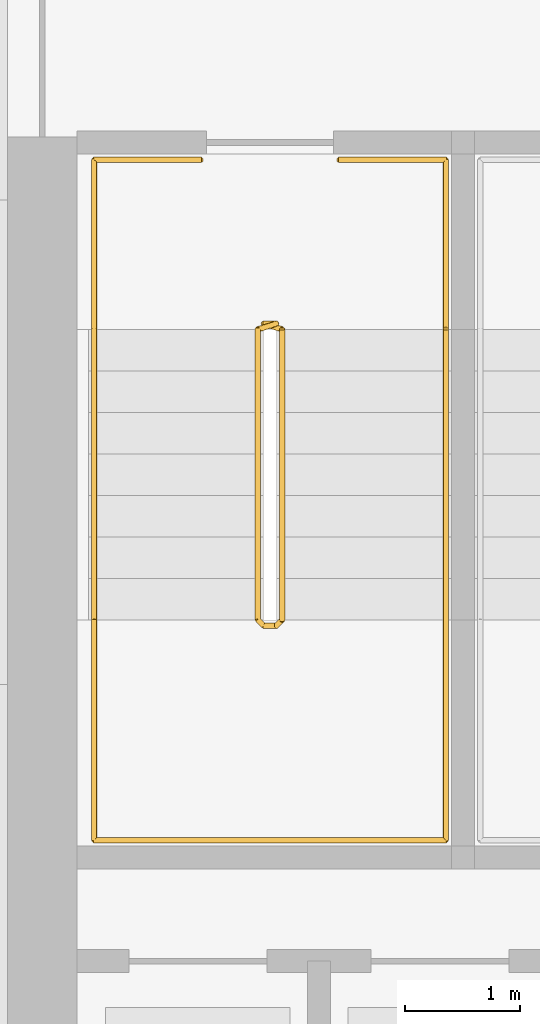
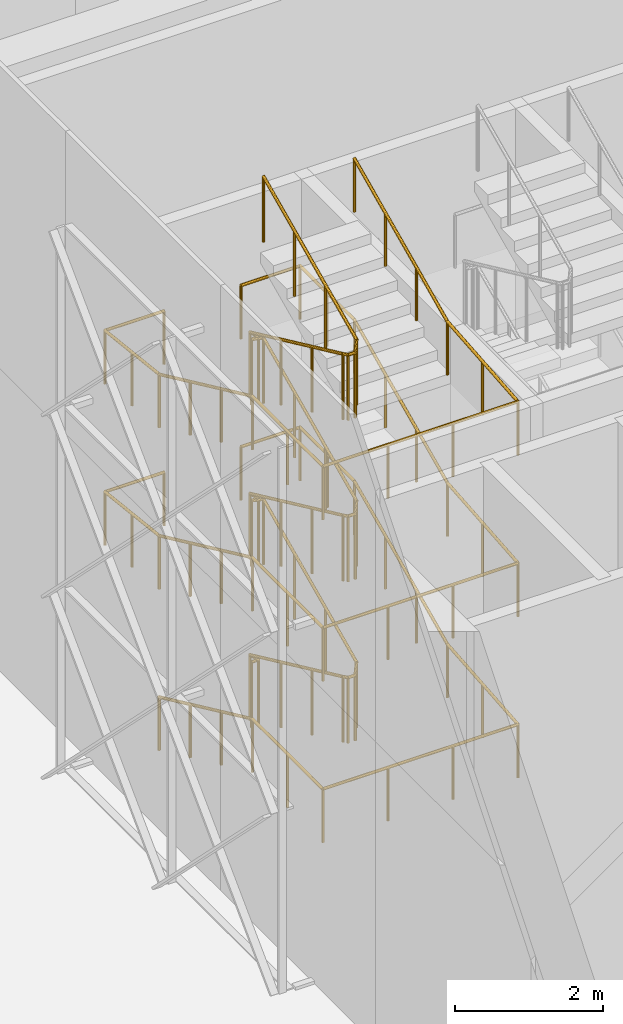
# One storey, part 60 of 64: 4 railings.
"""IFC4 building model written with IfcOpenShell, lengths in metres."""

from ifc_helpers import new_model, si_unit, direction, frame, origin, origin_2d, place, context, subcontext, project, spatial, circle, extrude, material, type_object, element, save


model = new_model("IFC4")

# Units and contexts
model_context = context("Model", 3, precision=1e-05, world=origin(), true_north=direction((0.0, 1.0)))
body_context = subcontext(model_context, "Body", "Model", "MODEL_VIEW")
ifc_project = project(units=[si_unit("LENGTHUNIT", "METRE"), si_unit("AREAUNIT", "SQUARE_METRE"), si_unit("VOLUMEUNIT", "CUBIC_METRE"), si_unit("PLANEANGLEUNIT", "RADIAN"), si_unit("MASSUNIT", "GRAM", prefix="KILO")], contexts=[model_context])

# Site, building, storey
site_placement = place(None, origin())
site = spatial("IfcSite", under=ifc_project, at=site_placement, CompositionType="ELEMENT")
building_placement = place(site_placement, origin())
building = spatial("IfcBuilding", under=site, at=building_placement, Name="Tessera Arch", CompositionType="ELEMENT")
storey_placement = place(building_placement, origin())
storey = spatial("IfcBuildingStorey", under=building, at=storey_placement, Name="L00", CompositionType="ELEMENT", Elevation=0.0)

# Railings
ifc_material_1 = material(Name="Painted steel balustrade", Category="steel")
railing_type_1 = type_object("IfcRailingType", Name="Stair guard 1100", PredefinedType="GUARDRAIL", material=ifc_material_1)
railing_1_placement = place(storey_placement, frame((38.219970703125, 43.6298828125, 0.0)))
element("IfcRailing", 1, at=railing_1_placement, inside=storey, type_object=railing_type_1, Name="L00 S1a stair guard 1", PredefinedType="GUARDRAIL", context=body_context, shape_type="SweptSolid", body=[
    extrude(circle(Radius=0.02392578125, at=origin_2d()), frame((-0.00390625, 0.0, 1.076171875), z_axis=(1.0, 0.0, 0.0), x_axis=(0.0, 1.0, 0.0)), (0.0, 0.0, 1.0), 0.1181640625),
    extrude(circle(Radius=0.02392578125, at=origin_2d()), frame((0.11279296875, 0.000732421875, 1.0732421875), z_axis=(-0.677174120815, -0.210584635131, 0.705045616641), x_axis=(0.296948579431, -0.954893471113, 0.0)), (0.0, 0.0, 1.0), 0.244384765625),
    extrude(circle(Radius=0.02392578125, at=origin_2d()), frame((-0.050048828125, -0.046142578125, 1.2412109375), z_axis=(0.0, -0.907490492863, 0.420072619153), x_axis=(1.0, 0.0, 0.0)), (0.0, 0.0, 1.0), 2.784912109375),
    extrude(circle(Radius=0.02392578125, at=origin_2d()), frame((-0.052978515625, -2.56689453125, 2.4091796875), z_axis=(0.707106781187, -0.707106781187, 0.0), x_axis=(0.707106781187, 0.707106781187, 0.0)), (0.0, 0.0, 1.0), 0.078857421875),
    extrude(circle(Radius=0.02392578125, at=origin_2d()), frame((-0.00390625, -2.619873046875, 2.4091796875), z_axis=(1.0, 0.0, 0.0), x_axis=(0.0, 1.0, 0.0)), (0.0, 0.0, 1.0), 0.1181640625),
    extrude(circle(Radius=0.02392578125, at=origin_2d()), frame((0.10888671875, -2.62109375, 2.405517578125), z_axis=(0.275041040955, 0.276389281352, 0.920848191041), x_axis=(-0.708833529934, 0.705375805398, 0.0)), (0.0, 0.0, 1.0), 0.18896484375),
    extrude(circle(Radius=0.02392578125, at=origin_2d()), frame((0.159912109375, -2.573486328125, 2.574462890625), z_axis=(0.0, 0.907456975791, 0.420145019115), x_axis=(-1.0, 0.0, 0.0)), (0.0, 0.0, 1.0), 2.784912109375),
    extrude(circle(Radius=0.02392578125, at=origin_2d()), frame((0.163818359375, -0.051025390625, 3.74267578125), z_axis=(-0.954764847777, 0.297361876254, 0.0), x_axis=(-0.297361876254, -0.954764847777, 0.0)), (0.0, 0.0, 1.0), 0.175537109375),
    extrude(circle(Radius=0.02392578125, at=origin_2d()), frame((-0.00390625, 0.0, 3.74267578125), z_axis=(1.0, 0.0, 0.0), x_axis=(0.0, 1.0, 0.0)), (0.0, 0.0, 1.0), 0.1181640625),
    extrude(circle(Radius=0.02392578125, at=origin_2d()), frame((0.11279296875, 0.000732421875, 3.739990234375), z_axis=(-0.677667147158, -0.210737954299, 0.704525906039), x_axis=(0.296948579431, -0.954893471113, 0.0)), (0.0, 0.0, 1.0), 0.244384765625),
    extrude(circle(Radius=0.02392578125, at=origin_2d()), frame((-0.050048828125, -0.046142578125, 3.90771484375), z_axis=(0.0, -0.907456975791, 0.420145019115), x_axis=(1.0, 0.0, 0.0)), (0.0, 0.0, 1.0), 2.784912109375),
    extrude(circle(Radius=0.02392578125, at=origin_2d()), frame((-0.052978515625, -2.56689453125, 5.076171875), z_axis=(0.707106781187, -0.707106781187, 0.0), x_axis=(0.707106781187, 0.707106781187, 0.0)), (0.0, 0.0, 1.0), 0.078857421875),
    extrude(circle(Radius=0.02392578125, at=origin_2d()), frame((-0.00390625, -2.619873046875, 5.076171875), z_axis=(1.0, 0.0, 0.0), x_axis=(0.0, 1.0, 0.0)), (0.0, 0.0, 1.0), 0.1181640625),
    extrude(circle(Radius=0.02392578125, at=origin_2d()), frame((0.10888671875, -2.62109375, 5.072265625), z_axis=(0.275041040955, 0.276389281352, 0.920848191041), x_axis=(-0.708833529934, 0.705375805398, 0.0)), (0.0, 0.0, 1.0), 0.18896484375),
    extrude(circle(Radius=0.02392578125, at=origin_2d()), frame((0.159912109375, -2.573486328125, 5.2412109375), z_axis=(0.0, 0.907490492863, 0.420072619153), x_axis=(-1.0, 0.0, 0.0)), (0.0, 0.0, 1.0), 2.784912109375),
    extrude(circle(Radius=0.02392578125, at=origin_2d()), frame((0.163818359375, -0.051025390625, 6.4091796875), z_axis=(-0.954764847777, 0.297361876254, 0.0), x_axis=(-0.297361876254, -0.954764847777, 0.0)), (0.0, 0.0, 1.0), 0.175537109375),
    extrude(circle(Radius=0.02392578125, at=origin_2d()), frame((-0.00390625, 0.0, 6.4091796875), z_axis=(1.0, 0.0, 0.0), x_axis=(0.0, 1.0, 0.0)), (0.0, 0.0, 1.0), 0.1181640625),
    extrude(circle(Radius=0.02392578125, at=origin_2d()), frame((0.11279296875, 0.000732421875, 6.406494140625), z_axis=(-0.677174120815, -0.210584635131, 0.705045616641), x_axis=(0.296948579431, -0.954893471113, 0.0)), (0.0, 0.0, 1.0), 0.244384765625),
    extrude(circle(Radius=0.02392578125, at=origin_2d()), frame((-0.050048828125, -0.046142578125, 6.574462890625), z_axis=(0.0, -0.907456975791, 0.420145019115), x_axis=(1.0, 0.0, 0.0)), (0.0, 0.0, 1.0), 2.784912109375),
    extrude(circle(Radius=0.02392578125, at=origin_2d()), frame((-0.052978515625, -2.56689453125, 7.74267578125), z_axis=(0.707106781187, -0.707106781187, 0.0), x_axis=(0.707106781187, 0.707106781187, 0.0)), (0.0, 0.0, 1.0), 0.078857421875),
    extrude(circle(Radius=0.02392578125, at=origin_2d()), frame((-0.00390625, -2.619873046875, 7.74267578125), z_axis=(1.0, 0.0, 0.0), x_axis=(0.0, 1.0, 0.0)), (0.0, 0.0, 1.0), 0.1181640625),
    extrude(circle(Radius=0.02392578125, at=origin_2d()), frame((0.10888671875, -2.62109375, 7.739013671875), z_axis=(0.275382897532, 0.276732813696, 0.920642824102), x_axis=(-0.708833529934, 0.705375805398, 0.0)), (0.0, 0.0, 1.0), 0.18896484375),
    extrude(circle(Radius=0.02392578125, at=origin_2d()), frame((0.159912109375, -2.573486328125, 7.90771484375), z_axis=(0.0, 0.907456975791, 0.420145019115), x_axis=(-1.0, 0.0, 0.0)), (0.0, 0.0, 1.0), 2.784912109375),
    extrude(circle(Radius=0.02099609375, at=origin_2d()), origin(), (0.0, 0.0, 1.0), 1.06396484375),
    extrude(circle(Radius=0.02099609375, at=origin_2d()), frame((0.110107421875, 0.0, 0.0)), (0.0, 0.0, 1.0), 1.06396484375),
    extrude(circle(Radius=0.02099609375, at=origin_2d()), frame((-0.050048828125, -0.0498046875, 0.166748046875)), (0.0, 0.0, 1.0), 1.06396484375),
    extrude(circle(Radius=0.02099609375, at=origin_2d()), frame((-0.050048828125, -0.889892578125, 0.5556640625)), (0.0, 0.0, 1.0), 1.06396484375),
    extrude(circle(Radius=0.02099609375, at=origin_2d()), frame((-0.050048828125, -1.729736328125, 0.9443359375)), (0.0, 0.0, 1.0), 1.06396484375),
    extrude(circle(Radius=0.02099609375, at=origin_2d()), frame((-0.050048828125, -2.56982421875, 1.333251953125)), (0.0, 0.0, 1.0), 1.06396484375),
    extrude(circle(Radius=0.02099609375, at=origin_2d()), frame((0.0, -2.619873046875, 1.333251953125)), (0.0, 0.0, 1.0), 1.06396484375),
    extrude(circle(Radius=0.02099609375, at=origin_2d()), frame((0.110107421875, -2.619873046875, 1.333251953125)), (0.0, 0.0, 1.0), 1.06396484375),
    extrude(circle(Radius=0.02099609375, at=origin_2d()), frame((0.159912109375, -2.56982421875, 1.5)), (0.0, 0.0, 1.0), 1.06396484375),
    extrude(circle(Radius=0.02099609375, at=origin_2d()), frame((0.159912109375, -1.729736328125, 1.888916015625)), (0.0, 0.0, 1.0), 1.06396484375),
    extrude(circle(Radius=0.02099609375, at=origin_2d()), frame((0.159912109375, -0.889892578125, 2.27783203125)), (0.0, 0.0, 1.0), 1.06396484375),
    extrude(circle(Radius=0.02099609375, at=origin_2d()), frame((0.159912109375, -0.0498046875, 2.666748046875)), (0.0, 0.0, 1.0), 1.06396484375),
    extrude(circle(Radius=0.02099609375, at=origin_2d()), frame((0.0, 0.0, 2.666748046875)), (0.0, 0.0, 1.0), 1.06396484375),
    extrude(circle(Radius=0.02099609375, at=origin_2d()), frame((0.110107421875, 0.0, 2.666748046875)), (0.0, 0.0, 1.0), 1.06396484375),
    extrude(circle(Radius=0.02099609375, at=origin_2d()), frame((-0.050048828125, -0.0498046875, 2.833251953125)), (0.0, 0.0, 1.0), 1.06396484375),
    extrude(circle(Radius=0.02099609375, at=origin_2d()), frame((-0.050048828125, -0.889892578125, 3.22216796875)), (0.0, 0.0, 1.0), 1.06396484375),
    extrude(circle(Radius=0.02099609375, at=origin_2d()), frame((-0.050048828125, -1.729736328125, 3.611083984375)), (0.0, 0.0, 1.0), 1.06396484375),
    extrude(circle(Radius=0.02099609375, at=origin_2d()), frame((-0.050048828125, -2.56982421875, 4.0)), (0.0, 0.0, 1.0), 1.06396484375),
    extrude(circle(Radius=0.02099609375, at=origin_2d()), frame((0.0, -2.619873046875, 4.0)), (0.0, 0.0, 1.0), 1.06396484375),
    extrude(circle(Radius=0.02099609375, at=origin_2d()), frame((0.110107421875, -2.619873046875, 4.0)), (0.0, 0.0, 1.0), 1.06396484375),
    extrude(circle(Radius=0.02099609375, at=origin_2d()), frame((0.159912109375, -2.56982421875, 4.166748046875)), (0.0, 0.0, 1.0), 1.06396484375),
    extrude(circle(Radius=0.02099609375, at=origin_2d()), frame((0.159912109375, -1.729736328125, 4.5556640625)), (0.0, 0.0, 1.0), 1.06396484375),
    extrude(circle(Radius=0.02099609375, at=origin_2d()), frame((0.159912109375, -0.889892578125, 4.9443359375)), (0.0, 0.0, 1.0), 1.06396484375),
    extrude(circle(Radius=0.02099609375, at=origin_2d()), frame((0.159912109375, -0.0498046875, 5.333251953125)), (0.0, 0.0, 1.0), 1.06396484375),
    extrude(circle(Radius=0.02099609375, at=origin_2d()), frame((0.0, 0.0, 5.333251953125)), (0.0, 0.0, 1.0), 1.06396484375),
    extrude(circle(Radius=0.02099609375, at=origin_2d()), frame((0.110107421875, 0.0, 5.333251953125)), (0.0, 0.0, 1.0), 1.06396484375),
    extrude(circle(Radius=0.02099609375, at=origin_2d()), frame((-0.050048828125, -0.0498046875, 5.5)), (0.0, 0.0, 1.0), 1.06396484375),
    extrude(circle(Radius=0.02099609375, at=origin_2d()), frame((-0.050048828125, -0.889892578125, 5.888916015625)), (0.0, 0.0, 1.0), 1.06396484375),
    extrude(circle(Radius=0.02099609375, at=origin_2d()), frame((-0.050048828125, -1.729736328125, 6.27783203125)), (0.0, 0.0, 1.0), 1.06396484375),
    extrude(circle(Radius=0.02099609375, at=origin_2d()), frame((-0.050048828125, -2.56982421875, 6.666748046875)), (0.0, 0.0, 1.0), 1.06396484375),
    extrude(circle(Radius=0.02099609375, at=origin_2d()), frame((0.0, -2.619873046875, 6.666748046875)), (0.0, 0.0, 1.0), 1.06396484375),
    extrude(circle(Radius=0.02099609375, at=origin_2d()), frame((0.110107421875, -2.619873046875, 6.666748046875)), (0.0, 0.0, 1.0), 1.06396484375),
    extrude(circle(Radius=0.02099609375, at=origin_2d()), frame((0.159912109375, -2.56982421875, 6.833251953125)), (0.0, 0.0, 1.0), 1.06396484375),
    extrude(circle(Radius=0.02099609375, at=origin_2d()), frame((0.159912109375, -1.729736328125, 7.22216796875)), (0.0, 0.0, 1.0), 1.06396484375),
    extrude(circle(Radius=0.02099609375, at=origin_2d()), frame((0.159912109375, -0.889892578125, 7.611083984375)), (0.0, 0.0, 1.0), 1.06396484375),
    extrude(circle(Radius=0.02099609375, at=origin_2d()), frame((0.159912109375, -0.0498046875, 8.0)), (0.0, 0.0, 1.0), 1.06396484375),
])
ifc_material_2 = material(Name="Painted steel handrail", Category="steel")
railing_type_2 = type_object("IfcRailingType", Name="Stair handrail 900", PredefinedType="HANDRAIL", material=ifc_material_2)
railing_2_placement = place(storey_placement, frame((36.75, 43.580078125, 0.166748046875)))
element("IfcRailing", 2, at=railing_2_placement, inside=storey, type_object=railing_type_2, Name="L00 S1a stair handrail", PredefinedType="HANDRAIL", context=body_context, shape_type="SweptSolid", body=[
    extrude(circle(Radius=0.02392578125, at=origin_2d()), frame((0.0, 0.003662109375, 0.874267578125), z_axis=(0.0, -0.907490492863, 0.420072619153), x_axis=(1.0, 0.0, 0.0)), (0.0, 0.0, 1.0), 2.784912109375),
    extrude(circle(Radius=0.02392578125, at=origin_2d()), frame((0.0, -2.51611328125, 2.04248046875), z_axis=(0.0, -1.0, 0.0), x_axis=(1.0, 0.0, 0.0)), (0.0, 0.0, 1.0), 1.918212890625),
    extrude(circle(Radius=0.02392578125, at=origin_2d()), frame((-0.00390625, -4.43017578125, 2.04248046875), z_axis=(1.0, 0.0, 0.0), x_axis=(0.0, 1.0, 0.0)), (0.0, 0.0, 1.0), 3.05810546875),
    extrude(circle(Radius=0.02392578125, at=origin_2d()), frame((3.050048828125, -4.43408203125, 2.0419921875), z_axis=(0.0, 0.996211387406, 0.086964772188), x_axis=(-1.0, 0.0, 0.0)), (0.0, 0.0, 1.0), 1.925537109375),
    extrude(circle(Radius=0.02392578125, at=origin_2d()), frame((3.050048828125, -2.523681640625, 2.20751953125), z_axis=(0.0, 0.907456975791, 0.420145019115), x_axis=(-1.0, 0.0, 0.0)), (0.0, 0.0, 1.0), 2.784912109375),
    extrude(circle(Radius=0.02392578125, at=origin_2d()), frame((3.050048828125, -0.00390625, 3.3759765625), z_axis=(0.0, 1.0, 0.0), x_axis=(-1.0, 0.0, 0.0)), (0.0, 0.0, 1.0), 1.47802734375),
    extrude(circle(Radius=0.02392578125, at=origin_2d()), frame((3.053955078125, 1.469970703125, 3.3759765625), z_axis=(-1.0, 0.0, 0.0), x_axis=(0.0, -1.0, 0.0)), (0.0, 0.0, 1.0), 0.93310546875),
    extrude(circle(Radius=0.02099609375, at=origin_2d()), origin(), (0.0, 0.0, 1.0), 0.86376953125),
    extrude(circle(Radius=0.02099609375, at=origin_2d()), frame((0.0, -0.840087890625, 0.388916015625)), (0.0, 0.0, 1.0), 0.86376953125),
    extrude(circle(Radius=0.02099609375, at=origin_2d()), frame((0.0, -1.679931640625, 0.777587890625)), (0.0, 0.0, 1.0), 0.86376953125),
    extrude(circle(Radius=0.02099609375, at=origin_2d()), frame((0.0, -2.52001953125, 1.16650390625)), (0.0, 0.0, 1.0), 0.86376953125),
    extrude(circle(Radius=0.02099609375, at=origin_2d()), frame((0.0, -3.47509765625, 1.16650390625)), (0.0, 0.0, 1.0), 0.86376953125),
    extrude(circle(Radius=0.02099609375, at=origin_2d()), frame((0.0, -4.43017578125, 1.16650390625)), (0.0, 0.0, 1.0), 0.86376953125),
    extrude(circle(Radius=0.02099609375, at=origin_2d()), frame((1.0166015625, -4.43017578125, 1.16650390625)), (0.0, 0.0, 1.0), 0.86376953125),
    extrude(circle(Radius=0.02099609375, at=origin_2d()), frame((2.033447265625, -4.43017578125, 1.16650390625)), (0.0, 0.0, 1.0), 0.86376953125),
    extrude(circle(Radius=0.02099609375, at=origin_2d()), frame((3.050048828125, -4.43017578125, 1.16650390625)), (0.0, 0.0, 1.0), 0.86376953125),
    extrude(circle(Radius=0.02099609375, at=origin_2d()), frame((3.050048828125, -3.47509765625, 1.25)), (0.0, 0.0, 1.0), 0.86376953125),
    extrude(circle(Radius=0.02099609375, at=origin_2d()), frame((3.050048828125, -2.52001953125, 1.333251953125)), (0.0, 0.0, 1.0), 0.86376953125),
    extrude(circle(Radius=0.02099609375, at=origin_2d()), frame((3.050048828125, -1.679931640625, 1.72216796875)), (0.0, 0.0, 1.0), 0.86376953125),
    extrude(circle(Radius=0.02099609375, at=origin_2d()), frame((3.050048828125, -0.840087890625, 2.111083984375)), (0.0, 0.0, 1.0), 0.86376953125),
    extrude(circle(Radius=0.02099609375, at=origin_2d()), frame((3.050048828125, 0.0, 2.5)), (0.0, 0.0, 1.0), 0.86376953125),
    extrude(circle(Radius=0.02099609375, at=origin_2d()), frame((3.050048828125, 0.73486328125, 2.5)), (0.0, 0.0, 1.0), 0.86376953125),
    extrude(circle(Radius=0.02099609375, at=origin_2d()), frame((3.050048828125, 1.469970703125, 2.5)), (0.0, 0.0, 1.0), 0.86376953125),
    extrude(circle(Radius=0.02099609375, at=origin_2d()), frame((2.125, 1.469970703125, 2.5)), (0.0, 0.0, 1.0), 0.86376953125),
])
railing_3_placement = place(storey_placement, frame((37.675048828125, 45.050048828125, 2.666748046875)))
element("IfcRailing", 3, at=railing_3_placement, inside=storey, type_object=railing_type_2, Name="L00 S1a stair handrail 2", PredefinedType="HANDRAIL", context=body_context, shape_type="SweptSolid", body=[
    extrude(circle(Radius=0.02392578125, at=origin_2d()), frame((0.00390625, 0.0, 0.8759765625), z_axis=(-1.0, 0.0, 0.0), x_axis=(0.0, -1.0, 0.0)), (0.0, 0.0, 1.0), 0.93310546875),
    extrude(circle(Radius=0.02392578125, at=origin_2d()), frame((-0.925048828125, 0.00390625, 0.87548828125), z_axis=(0.0, -0.993646005566, 0.11255050254), x_axis=(1.0, 0.0, 0.0)), (0.0, 0.0, 1.0), 1.4873046875),
    extrude(circle(Radius=0.02392578125, at=origin_2d()), frame((-0.925048828125, -1.46630859375, 1.040771484375), z_axis=(0.0, -0.907456975791, 0.420145019115), x_axis=(1.0, 0.0, 0.0)), (0.0, 0.0, 1.0), 2.784912109375),
    extrude(circle(Radius=0.02392578125, at=origin_2d()), frame((-0.925048828125, -3.986083984375, 2.208984375), z_axis=(0.0, -1.0, 0.0), x_axis=(1.0, 0.0, 0.0)), (0.0, 0.0, 1.0), 1.918212890625),
    extrude(circle(Radius=0.02392578125, at=origin_2d()), frame((-0.928955078125, -5.900146484375, 2.208984375), z_axis=(1.0, 0.0, 0.0), x_axis=(0.0, 1.0, 0.0)), (0.0, 0.0, 1.0), 3.05810546875),
    extrude(circle(Radius=0.02392578125, at=origin_2d()), frame((2.125, -5.904052734375, 2.208740234375), z_axis=(0.0, 0.996211387406, 0.086964772188), x_axis=(-1.0, 0.0, 0.0)), (0.0, 0.0, 1.0), 1.925537109375),
    extrude(circle(Radius=0.02392578125, at=origin_2d()), frame((2.125, -3.99365234375, 2.374267578125), z_axis=(0.0, 0.907490492863, 0.420072619153), x_axis=(-1.0, 0.0, 0.0)), (0.0, 0.0, 1.0), 2.784912109375),
    extrude(circle(Radius=0.02392578125, at=origin_2d()), frame((2.125, -1.473876953125, 3.54248046875), z_axis=(0.0, 1.0, 0.0), x_axis=(-1.0, 0.0, 0.0)), (0.0, 0.0, 1.0), 1.47802734375),
    extrude(circle(Radius=0.02392578125, at=origin_2d()), frame((2.12890625, 0.0, 3.54248046875), z_axis=(-1.0, 0.0, 0.0), x_axis=(0.0, -1.0, 0.0)), (0.0, 0.0, 1.0), 0.93310546875),
    extrude(circle(Radius=0.02099609375, at=origin_2d()), origin(), (0.0, 0.0, 1.0), 0.86376953125),
    extrude(circle(Radius=0.02099609375, at=origin_2d()), frame((-0.925048828125, 0.0, 0.0)), (0.0, 0.0, 1.0), 0.86376953125),
    extrude(circle(Radius=0.02099609375, at=origin_2d()), frame((-0.925048828125, -0.73486328125, 0.083251953125)), (0.0, 0.0, 1.0), 0.86376953125),
    extrude(circle(Radius=0.02099609375, at=origin_2d()), frame((-0.925048828125, -1.469970703125, 0.16650390625)), (0.0, 0.0, 1.0), 0.86376953125),
    extrude(circle(Radius=0.02099609375, at=origin_2d()), frame((-0.925048828125, -2.31005859375, 0.555419921875)), (0.0, 0.0, 1.0), 0.86376953125),
    extrude(circle(Radius=0.02099609375, at=origin_2d()), frame((-0.925048828125, -3.14990234375, 0.9443359375)), (0.0, 0.0, 1.0), 0.86376953125),
    extrude(circle(Radius=0.02099609375, at=origin_2d()), frame((-0.925048828125, -3.989990234375, 1.333251953125)), (0.0, 0.0, 1.0), 0.86376953125),
    extrude(circle(Radius=0.02099609375, at=origin_2d()), frame((-0.925048828125, -4.945068359375, 1.333251953125)), (0.0, 0.0, 1.0), 0.86376953125),
    extrude(circle(Radius=0.02099609375, at=origin_2d()), frame((-0.925048828125, -5.900146484375, 1.333251953125)), (0.0, 0.0, 1.0), 0.86376953125),
    extrude(circle(Radius=0.02099609375, at=origin_2d()), frame((0.091552734375, -5.900146484375, 1.333251953125)), (0.0, 0.0, 1.0), 0.86376953125),
    extrude(circle(Radius=0.02099609375, at=origin_2d()), frame((1.1083984375, -5.900146484375, 1.333251953125)), (0.0, 0.0, 1.0), 0.86376953125),
    extrude(circle(Radius=0.02099609375, at=origin_2d()), frame((2.125, -5.900146484375, 1.333251953125)), (0.0, 0.0, 1.0), 0.86376953125),
    extrude(circle(Radius=0.02099609375, at=origin_2d()), frame((2.125, -4.945068359375, 1.41650390625)), (0.0, 0.0, 1.0), 0.86376953125),
    extrude(circle(Radius=0.02099609375, at=origin_2d()), frame((2.125, -3.989990234375, 1.5)), (0.0, 0.0, 1.0), 0.86376953125),
    extrude(circle(Radius=0.02099609375, at=origin_2d()), frame((2.125, -3.14990234375, 1.888916015625)), (0.0, 0.0, 1.0), 0.86376953125),
    extrude(circle(Radius=0.02099609375, at=origin_2d()), frame((2.125, -2.31005859375, 2.277587890625)), (0.0, 0.0, 1.0), 0.86376953125),
    extrude(circle(Radius=0.02099609375, at=origin_2d()), frame((2.125, -1.469970703125, 2.66650390625)), (0.0, 0.0, 1.0), 0.86376953125),
    extrude(circle(Radius=0.02099609375, at=origin_2d()), frame((2.125, -0.73486328125, 2.66650390625)), (0.0, 0.0, 1.0), 0.86376953125),
    extrude(circle(Radius=0.02099609375, at=origin_2d()), frame((2.125, 0.0, 2.66650390625)), (0.0, 0.0, 1.0), 0.86376953125),
    extrude(circle(Radius=0.02099609375, at=origin_2d()), frame((1.199951171875, 0.0, 2.66650390625)), (0.0, 0.0, 1.0), 0.86376953125),
])
railing_4_placement = place(storey_placement, frame((37.675048828125, 45.050048828125, 5.333251953125)))
element("IfcRailing", 4, at=railing_4_placement, inside=storey, type_object=railing_type_2, Name="L00 S1a stair handrail 3", PredefinedType="HANDRAIL", context=body_context, shape_type="SweptSolid", body=[
    extrude(circle(Radius=0.02392578125, at=origin_2d()), frame((0.00390625, 0.0, 0.8759765625), z_axis=(-1.0, 0.0, 0.0), x_axis=(0.0, -1.0, 0.0)), (0.0, 0.0, 1.0), 0.93310546875),
    extrude(circle(Radius=0.02392578125, at=origin_2d()), frame((-0.925048828125, 0.00390625, 0.87548828125), z_axis=(0.0, -0.993627536354, 0.112713437524), x_axis=(1.0, 0.0, 0.0)), (0.0, 0.0, 1.0), 1.4873046875),
    extrude(circle(Radius=0.02392578125, at=origin_2d()), frame((-0.925048828125, -1.46630859375, 1.041015625), z_axis=(0.0, -0.907456975791, 0.420145019115), x_axis=(1.0, 0.0, 0.0)), (0.0, 0.0, 1.0), 2.784912109375),
    extrude(circle(Radius=0.02392578125, at=origin_2d()), frame((-0.925048828125, -3.986083984375, 2.20947265625), z_axis=(0.0, -1.0, 0.0), x_axis=(1.0, 0.0, 0.0)), (0.0, 0.0, 1.0), 1.918212890625),
    extrude(circle(Radius=0.02392578125, at=origin_2d()), frame((-0.928955078125, -5.900146484375, 2.20947265625), z_axis=(1.0, 0.0, 0.0), x_axis=(0.0, 1.0, 0.0)), (0.0, 0.0, 1.0), 3.05810546875),
    extrude(circle(Radius=0.02392578125, at=origin_2d()), frame((2.125, -5.904052734375, 2.208984375), z_axis=(0.0, 0.996222410581, 0.086838405421), x_axis=(-1.0, 0.0, 0.0)), (0.0, 0.0, 1.0), 1.92529296875),
    extrude(circle(Radius=0.02392578125, at=origin_2d()), frame((2.125, -3.99365234375, 2.374267578125), z_axis=(0.0, 0.907456975791, 0.420145019115), x_axis=(-1.0, 0.0, 0.0)), (0.0, 0.0, 1.0), 2.784912109375),
    extrude(circle(Radius=0.02099609375, at=origin_2d()), origin(), (0.0, 0.0, 1.0), 0.86376953125),
    extrude(circle(Radius=0.02099609375, at=origin_2d()), frame((-0.925048828125, 0.0, 0.0)), (0.0, 0.0, 1.0), 0.86376953125),
    extrude(circle(Radius=0.02099609375, at=origin_2d()), frame((-0.925048828125, -0.73486328125, 0.08349609375)), (0.0, 0.0, 1.0), 0.86376953125),
    extrude(circle(Radius=0.02099609375, at=origin_2d()), frame((-0.925048828125, -1.469970703125, 0.166748046875)), (0.0, 0.0, 1.0), 0.86376953125),
    extrude(circle(Radius=0.02099609375, at=origin_2d()), frame((-0.925048828125, -2.31005859375, 0.5556640625)), (0.0, 0.0, 1.0), 0.86376953125),
    extrude(circle(Radius=0.02099609375, at=origin_2d()), frame((-0.925048828125, -3.14990234375, 0.944580078125)), (0.0, 0.0, 1.0), 0.86376953125),
    extrude(circle(Radius=0.02099609375, at=origin_2d()), frame((-0.925048828125, -3.989990234375, 1.33349609375)), (0.0, 0.0, 1.0), 0.86376953125),
    extrude(circle(Radius=0.02099609375, at=origin_2d()), frame((-0.925048828125, -4.945068359375, 1.33349609375)), (0.0, 0.0, 1.0), 0.86376953125),
    extrude(circle(Radius=0.02099609375, at=origin_2d()), frame((-0.925048828125, -5.900146484375, 1.33349609375)), (0.0, 0.0, 1.0), 0.86376953125),
    extrude(circle(Radius=0.02099609375, at=origin_2d()), frame((0.091552734375, -5.900146484375, 1.33349609375)), (0.0, 0.0, 1.0), 0.86376953125),
    extrude(circle(Radius=0.02099609375, at=origin_2d()), frame((1.1083984375, -5.900146484375, 1.33349609375)), (0.0, 0.0, 1.0), 0.86376953125),
    extrude(circle(Radius=0.02099609375, at=origin_2d()), frame((2.125, -5.900146484375, 1.33349609375)), (0.0, 0.0, 1.0), 0.86376953125),
    extrude(circle(Radius=0.02099609375, at=origin_2d()), frame((2.125, -4.945068359375, 1.416748046875)), (0.0, 0.0, 1.0), 0.86376953125),
    extrude(circle(Radius=0.02099609375, at=origin_2d()), frame((2.125, -3.989990234375, 1.5)), (0.0, 0.0, 1.0), 0.86376953125),
    extrude(circle(Radius=0.02099609375, at=origin_2d()), frame((2.125, -3.14990234375, 1.888916015625)), (0.0, 0.0, 1.0), 0.86376953125),
    extrude(circle(Radius=0.02099609375, at=origin_2d()), frame((2.125, -2.31005859375, 2.27783203125)), (0.0, 0.0, 1.0), 0.86376953125),
    extrude(circle(Radius=0.02099609375, at=origin_2d()), frame((2.125, -1.469970703125, 2.666748046875)), (0.0, 0.0, 1.0), 0.86376953125),
])

save(model, "model.ifc")
